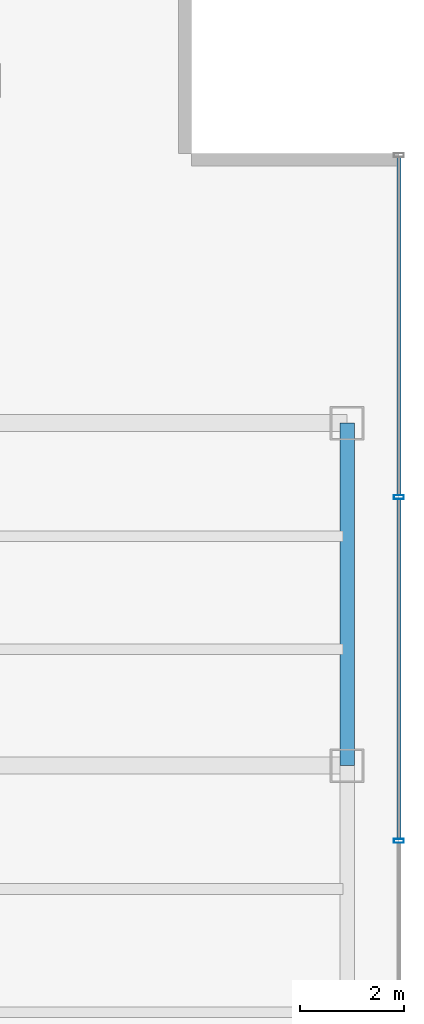
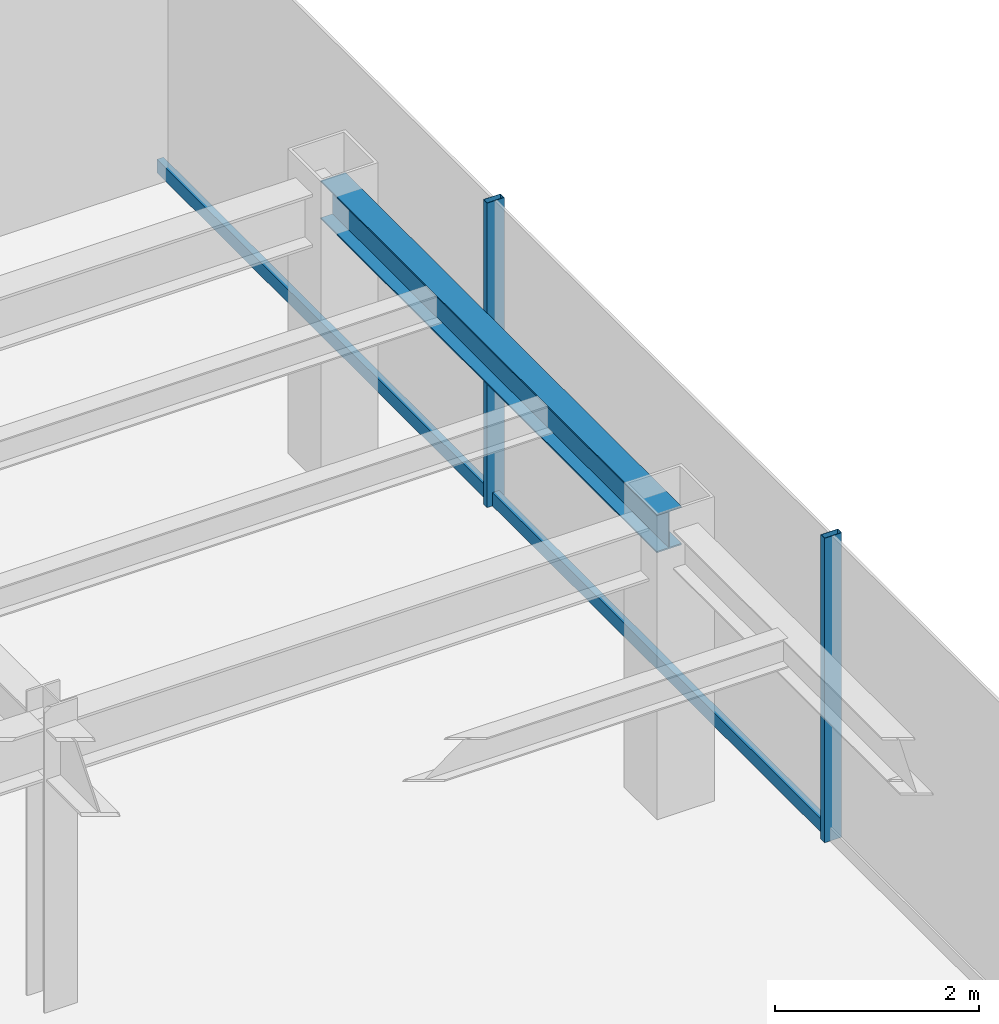
# One storey, part 13 of 25: 4 members, 1 beam, 1 element without a shape of its own.
"""IFC4 building model written with IfcOpenShell, lengths in metres."""

from ifc_helpers import new_model, si_unit, derived_unit, direction, frame, origin, origin_2d, place, context, subcontext, project, spatial, hollow_rectangle, i_section, extrude, source, transform, mapped, material, material_profile, profile_set, type_object, element, aggregate, save


model = new_model("IFC4")

# Units and contexts
model_context = context("Model", 3, precision=1e-05, world=origin(), true_north=direction((0.0, 1.0)))
body_context = subcontext(model_context, "Body", "Model", "MODEL_VIEW")
ifc_project = project(units=[si_unit("LENGTHUNIT", "METRE"), si_unit("AREAUNIT", "SQUARE_METRE"), si_unit("VOLUMEUNIT", "CUBIC_METRE"), si_unit("PLANEANGLEUNIT", "RADIAN"), si_unit("MASSUNIT", "GRAM", prefix="KILO"), derived_unit("THERMALTRANSMITTANCEUNIT", [(si_unit("POWERUNIT", "WATT"), 1), (si_unit("LENGTHUNIT", "METRE"), -2), (si_unit("THERMODYNAMICTEMPERATUREUNIT", "KELVIN"), -1)])], contexts=[model_context])

# Site, building, storey
site_placement = place(None, origin())
site = spatial("IfcSite", under=ifc_project, at=site_placement, CompositionType="ELEMENT")
building_placement = place(site_placement, origin())
building = spatial("IfcBuilding", under=site, at=building_placement, Name="Skarnbrae Concourse Arena and Tower", CompositionType="ELEMENT")
storey_placement = place(building_placement, frame((0.0, 0.0, 169.800048828125)))
storey = spatial("IfcBuildingStorey", under=building, at=storey_placement, Name="L43", CompositionType="ELEMENT", Elevation=169.800048828125)

# Beam
ifc_material_1 = material(Name="Steel CSA G40.21 350W", Category="steel")
ifc_material_profile_1 = material_profile(ifc_material_1, i_section(OverallWidth=0.280029296875, OverallDepth=0.462890625, WebThickness=0.0107421875, FlangeThickness=0.017333984375, at=origin_2d()), Name="W460X113")
ifc_profile_set_1 = profile_set([ifc_material_profile_1], Name="Steel CSA G40.21 350W")
beam_type = type_object("IfcBeamType", Name="BM-SPAN-W460X113", PredefinedType="SPANDREL", material=ifc_profile_set_1)
shared_shape_1 = source(origin(), body_context, "Body", "SweptSolid", [
    extrude(i_section(OverallWidth=0.280029296875, OverallDepth=0.462890625, WebThickness=0.0107421875, FlangeThickness=0.017333984375, at=origin_2d()), origin(), (0.0, 0.0, 1.0), 6.60009765625),
])
beam_placement = place(storey_placement, frame((49.0, 21.199951171875, 3.16845703125), z_axis=(0.0, 1.0, 0.0), x_axis=(-1.0, 0.0, 0.0)))
element("IfcBeam", 1, at=beam_placement, inside=storey, type_object=beam_type, Name="L43 Perimeter spandrel X49.0-3", PredefinedType="SPANDREL", context=body_context, shape_type="MappedRepresentation", body=[
    mapped(shared_shape_1, transform((0.0, 0.0, 0.0))),
])

# Curtain wall, members
ifc_material_2 = material(Name="Bronze anodised aluminium 6063-T6", Category="aluminium")
curtain_wall_type = type_object("IfcCurtainWallType", Name="CW-SYS-04-MIDZONE", PredefinedType="USERDEFINED", material=ifc_material_2)
curtain_wall_placement = place(storey_placement, origin())
curtain_wall = element("IfcCurtainWall", 2, at=curtain_wall_placement, inside=storey, type_object=curtain_wall_type, Name="L43 Unitised curtain wall CW-L43-E04", ObjectType="UNITISED CURTAIN WALL", PredefinedType="USERDEFINED")
ifc_material_profile_2 = material_profile(ifc_material_2, hollow_rectangle(XDim=0.074951171875, YDim=0.195068359375, WallThickness=0.00439453125, at=origin_2d()), Name="ALU-MULL-75X195")
ifc_profile_set_2 = profile_set([ifc_material_profile_2], Name="Bronze anodised aluminium 6063-T6")
member_type_1 = type_object("IfcMemberType", Name="CWM-CW-04", PredefinedType="MULLION", material=ifc_profile_set_2)
shared_shape_2 = source(origin(), body_context, "Body", "SweptSolid", [
    extrude(hollow_rectangle(XDim=0.074951171875, YDim=0.195068359375, WallThickness=0.00439453125, at=origin_2d()), origin(), (0.0, 0.0, 1.0), 3.64990234375),
])
member_1_placement = place(storey_placement, frame((50.0, 19.75, 0.0), z_axis=(0.0, 0.0, 1.0), x_axis=(0.0, 1.0, 0.0)))
member_1 = element("IfcMember", 3, at=member_1_placement, type_object=member_type_1, Name="CW-L43-E04 Mullion 3", PredefinedType="MULLION", context=body_context, shape_type="MappedRepresentation", body=[
    mapped(shared_shape_2, transform((0.0, 0.0, 0.0))),
])
member_2_placement = place(storey_placement, frame((50.0, 26.375, 0.0), z_axis=(0.0, 0.0, 1.0), x_axis=(0.0, 1.0, 0.0)))
member_2 = element("IfcMember", 4, at=member_2_placement, type_object=member_type_1, Name="CW-L43-E04 Mullion 4", PredefinedType="MULLION", context=body_context, shape_type="MappedRepresentation", body=[
    mapped(shared_shape_2, transform((0.0, 0.0, 0.0))),
])
ifc_material_profile_3 = material_profile(ifc_material_2, hollow_rectangle(XDim=0.074951171875, YDim=0.159912109375, WallThickness=0.00439453125, at=origin_2d()), Name="ALU-TRAN-75X160")
ifc_profile_set_3 = profile_set([ifc_material_profile_3], Name="Bronze anodised aluminium 6063-T6")
member_type_2 = type_object("IfcMemberType", Name="CWT-CW-04", PredefinedType="USERDEFINED", material=ifc_profile_set_3)
shared_shape_3 = source(origin(), body_context, "Body", "SweptSolid", [
    extrude(hollow_rectangle(XDim=0.074951171875, YDim=0.159912109375, WallThickness=0.00439453125, at=origin_2d()), origin(), (0.0, 0.0, 1.0), 6.512451171875),
])
member_3_placement = place(storey_placement, frame((50.0, 26.41259765625, 0.079833984375), z_axis=(0.0, 1.0, 0.0), x_axis=(-1.0, 0.0, 0.0)))
member_3 = element("IfcMember", 5, at=member_3_placement, type_object=member_type_2, Name="CW-L43-E04 Transom 4", ObjectType="TRANSOM", PredefinedType="USERDEFINED", context=body_context, shape_type="MappedRepresentation", body=[
    mapped(shared_shape_3, transform((0.0, 0.0, 0.0))),
])
shared_shape_4 = source(origin(), body_context, "Body", "SweptSolid", [
    extrude(hollow_rectangle(XDim=0.074951171875, YDim=0.159912109375, WallThickness=0.00439453125, at=origin_2d()), origin(), (0.0, 0.0, 1.0), 6.5498046875),
])
member_4_placement = place(storey_placement, frame((50.0, 19.78759765625, 0.079833984375), z_axis=(0.0, 1.0, 0.0), x_axis=(-1.0, 0.0, 0.0)))
member_4 = element("IfcMember", 6, at=member_4_placement, type_object=member_type_2, Name="CW-L43-E04 Transom 3", ObjectType="TRANSOM", PredefinedType="USERDEFINED", context=body_context, shape_type="MappedRepresentation", body=[
    mapped(shared_shape_4, transform((0.0, 0.0, 0.0))),
])
aggregate(curtain_wall, [member_1, member_2, member_4, member_3])

save(model, "model.ifc")
